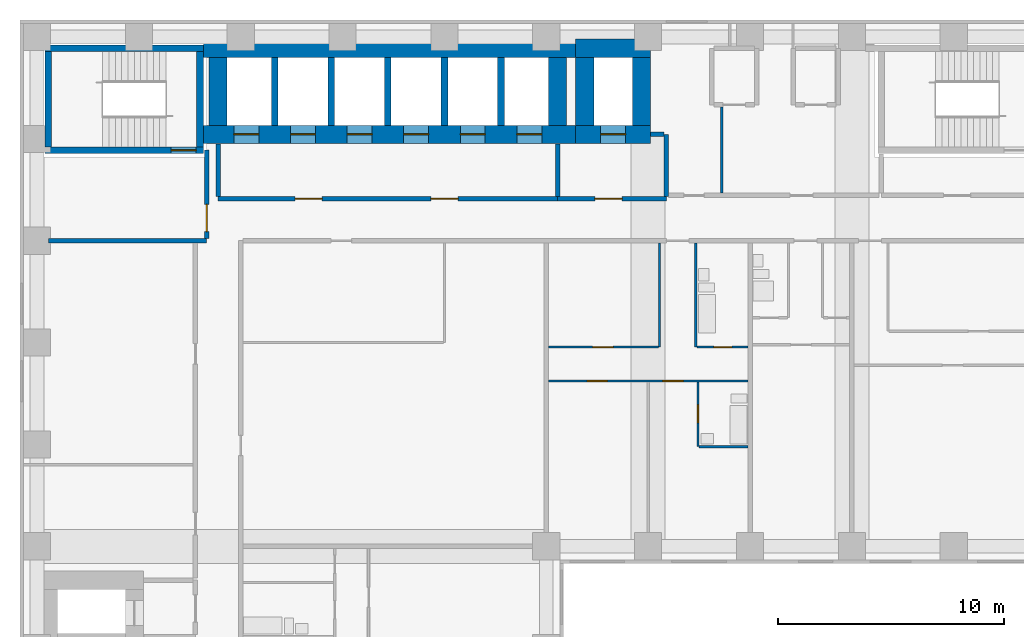
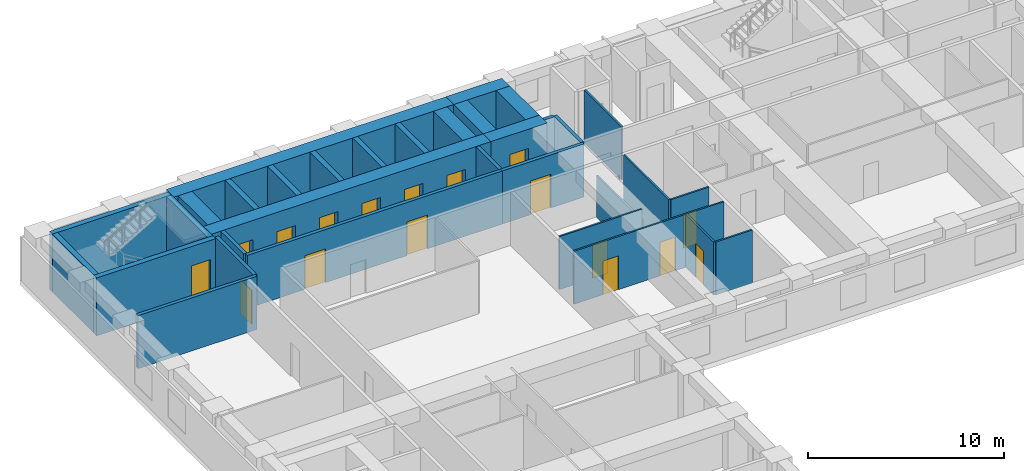
# One storey, part 5 of 11: 33 walls, 17 doors, 17 openings.
"""IFC4 building model written with IfcOpenShell, lengths in metres."""

from ifc_helpers import new_model, si_unit, direction, frame, frame_2d, origin, place, context, subcontext, project, spatial, rectangle, extrude, material, layer, layer_set, type_object, element, fill, save


model = new_model("IFC4")

# Units and contexts
model_context = context("Model", 3, precision=1e-05, world=origin(), true_north=direction((0.0, 1.0)))
body_context = subcontext(model_context, "Body", "Model", "MODEL_VIEW")
ifc_project = project(units=[si_unit("LENGTHUNIT", "METRE"), si_unit("AREAUNIT", "SQUARE_METRE"), si_unit("VOLUMEUNIT", "CUBIC_METRE"), si_unit("PLANEANGLEUNIT", "RADIAN"), si_unit("MASSUNIT", "GRAM", prefix="KILO")], contexts=[model_context])

# Site, building, storey
site_placement = place(None, origin())
site = spatial("IfcSite", under=ifc_project, at=site_placement, CompositionType="ELEMENT")
building_placement = place(site_placement, origin())
building = spatial("IfcBuilding", under=site, at=building_placement, Name="Firuza Court", CompositionType="ELEMENT")
storey_placement = place(building_placement, frame((0.0, 0.0, 75.800048828125)))
storey = spatial("IfcBuildingStorey", under=building, at=storey_placement, Name="L18", CompositionType="ELEMENT", Elevation=75.800048828125)

# Wall, opening, door
ifc_material_1 = material(Name="Moisture-resistant gypsum board partition")
ifc_layer_1 = layer(ifc_material_1, 0.10009765625)
ifc_layer_set_1 = layer_set([ifc_layer_1], Name="Moisture-resistant gypsum board partition")
wall_type_1 = type_object("IfcWallType", Name="Bathroom partition 100", PredefinedType="PLUMBINGWALL", material=ifc_layer_set_1)
wall_1_placement = place(storey_placement, frame((29.199951171875, 40.39990234375, 0.0), z_axis=(0.0, 0.0, 1.0), x_axis=(0.0, 1.0, 0.0)))
wall_1 = element("IfcWall", 1, at=wall_1_placement, inside=storey, type_object=wall_type_1, Name="Bathroom partition 100 L18", PredefinedType="PLUMBINGWALL", context=body_context, shape_type="SweptSolid", body=[
    extrude(rectangle(XDim=2.85009765625, YDim=0.10009765625, at=frame_2d((1.425048828125, 0.0))), origin(), (0.0, 0.0, 1.0), 3.300048828125),
])
opening_1_placement = place(wall_1_placement, frame((1.050048828125, 0.0, 0.0)))
opening_1 = element("IfcOpeningElement", 2, at=opening_1_placement, cuts=wall_1, Name="Opening D18044", PredefinedType="OPENING", context=body_context, shape_type="SweptSolid", body=[
    extrude(rectangle(XDim=0.800048828125, YDim=2.10009765625, at=frame_2d((0.39990234375, 1.050048828125))), frame((0.0, 0.06201171875, 0.0), z_axis=(0.0, -1.0, 0.0), x_axis=(1.0, 0.0, 0.0)), (0.0, 0.0, 1.0), 0.1240234375),
])
ifc_material_2 = material(Name="Timber door leaf in hardwood frame", Category="wood")
door_type_1 = type_object("IfcDoorType", Name="Bathroom door 800", OperationType="SINGLE_SWING_LEFT", PredefinedType="DOOR", material=ifc_material_2)
door_1_placement = place(opening_1_placement, frame((0.800048828125, 0.0, 0.0), z_axis=(0.0, 0.0, 1.0), x_axis=(-1.0, 0.0, 0.0)))
door_1 = element("IfcDoor", 3, at=door_1_placement, inside=storey, type_object=door_type_1, Name="En-suite door", OperationType="SINGLE_SWING_RIGHT", OverallHeight=2.10009765625, OverallWidth=0.800048828125, PredefinedType="DOOR", context=body_context, shape_type="SweptSolid", body=[
    extrude(rectangle(XDim=0.800048828125, YDim=2.10009765625, at=frame_2d((0.39990234375, 1.050048828125))), frame((0.0, 0.02490234375, 0.0), z_axis=(0.0, -1.0, 0.0), x_axis=(1.0, 0.0, 0.0)), (0.0, 0.0, 1.0), 0.050048828125),
])
fill(opening_1, door_1)

# Walls
wall_2_placement = place(storey_placement, frame((29.25, 40.39990234375, 0.0), z_axis=(0.0, 0.0, 1.0), x_axis=(1.0, 0.0, 0.0)))
element("IfcWall", 4, at=wall_2_placement, inside=storey, type_object=wall_type_1, Name="Bathroom partition 100 L18", PredefinedType="PLUMBINGWALL", context=body_context, shape_type="SweptSolid", body=[
    extrude(rectangle(XDim=2.14990234375, YDim=0.10009765625, at=frame_2d((1.074951171875, 0.0))), origin(), (0.0, 0.0, 1.0), 3.300048828125),
])
wall_3_placement = place(storey_placement, frame((29.10009765625, 44.800048828125, 0.0), z_axis=(0.0, 0.0, 1.0), x_axis=(0.0, 1.0, 0.0)))
element("IfcWall", 5, at=wall_3_placement, inside=storey, type_object=wall_type_1, Name="Bathroom partition 100 L18", PredefinedType="PLUMBINGWALL", context=body_context, shape_type="SweptSolid", body=[
    extrude(rectangle(XDim=4.599853515625, YDim=0.10009765625, at=frame_2d((2.2998046875, 0.0))), origin(), (0.0, 0.0, 1.0), 3.300048828125),
])

# Wall, opening, door
ifc_material_3 = material(Name="Concrete C60/75", Category="concrete")
ifc_layer_2 = layer(ifc_material_3, 0.300048828125)
ifc_layer_set_2 = layer_set([ifc_layer_2], Name="Concrete C60/75")
wall_type_2 = type_object("IfcWallType", Name="Core wall 300 C60/75", PredefinedType="SHEAR", material=ifc_layer_set_2)
wall_4_placement = place(storey_placement, frame((0.35009765625, 53.5, -0.300048828125), z_axis=(0.0, 0.0, 1.0), x_axis=(1.0, 0.0, 0.0)))
wall_4 = element("IfcWall", 6, at=wall_4_placement, inside=storey, type_object=wall_type_2, Name="Core wall stair L18", PredefinedType="SHEAR", context=body_context, shape_type="SweptSolid", body=[
    extrude(rectangle(XDim=7.0, YDim=0.300048828125, at=frame_2d((3.5, 0.0))), origin(), (0.0, 0.0, 1.0), 3.60009765625),
])
opening_2_placement = place(wall_4_placement, frame((5.580078125, 0.0, 0.300048828125)))
opening_2 = element("IfcOpeningElement", 7, at=opening_2_placement, cuts=wall_4, Name="Opening D18016", PredefinedType="OPENING", context=body_context, shape_type="SweptSolid", body=[
    extrude(rectangle(XDim=1.10009765625, YDim=2.10009765625, at=frame_2d((0.550048828125, 1.050048828125))), frame((0.0, 0.162109375, 0.0), z_axis=(0.0, -1.0, 0.0), x_axis=(1.0, 0.0, 0.0)), (0.0, 0.0, 1.0), 0.323974609375),
])
ifc_material_4 = material(Name="Timber door leaf in hardwood frame", Category="wood")
door_type_2 = type_object("IfcDoorType", Name="Stair door 1100", OperationType="SINGLE_SWING_LEFT", PredefinedType="DOOR", material=ifc_material_4)
door_2_placement = place(opening_2_placement, origin())
door_2 = element("IfcDoor", 8, at=door_2_placement, inside=storey, type_object=door_type_2, Name="Stair door S3", OperationType="SINGLE_SWING_RIGHT", OverallHeight=2.10009765625, OverallWidth=1.10009765625, PredefinedType="DOOR", context=body_context, shape_type="SweptSolid", body=[
    extrude(rectangle(XDim=1.10009765625, YDim=2.10009765625, at=frame_2d((0.550048828125, 1.050048828125))), frame((0.0, 0.02490234375, 0.0), z_axis=(0.0, -1.0, 0.0), x_axis=(1.0, 0.0, 0.0)), (0.0, 0.0, 1.0), 0.050048828125),
])
fill(opening_2, door_2)

# Walls
wall_5_placement = place(storey_placement, frame((0.35009765625, 58.0, -0.300048828125), z_axis=(0.0, 0.0, 1.0), x_axis=(1.0, 0.0, 0.0)))
element("IfcWall", 9, at=wall_5_placement, inside=storey, type_object=wall_type_2, Name="Core wall stair L18", PredefinedType="SHEAR", context=body_context, shape_type="SweptSolid", body=[
    extrude(rectangle(XDim=7.0, YDim=0.300048828125, at=frame_2d((3.5, 0.0))), origin(), (0.0, 0.0, 1.0), 3.60009765625),
])
for number, where, z_axis, x_axis, name in (
    (10, (0.5, 53.64990234375, -0.300048828125), (0.0, 0.0, 1.0), (0.0, 1.0, 0.0), "Core wall stair L18"),
    (11, (7.199951171875, 53.64990234375, -0.300048828125), (0.0, 0.0, 1.0), (0.0, 1.0, 0.0), "Core wall stair L18"),
):
    element("IfcWall", number, at=place(storey_placement, frame(where, z_axis=z_axis, x_axis=x_axis)), inside=storey, type_object=wall_type_2, Name=name, PredefinedType="SHEAR", context=body_context, shape_type="SweptSolid", body=[
        extrude(rectangle(XDim=4.2001953125, YDim=0.300048828125, at=frame_2d((2.10009765625, 0.0))), origin(), (0.0, 0.0, 1.0), 3.60009765625),
    ])
for number, where, z_axis, x_axis, name in (
    (12, (10.5, 54.60009765625, -0.300048828125), (0.0, 0.0, 1.0), (0.0, 1.0, 0.0), "Core wall lift shaft L18"),
    (13, (13.0, 54.60009765625, -0.300048828125), (0.0, 0.0, 1.0), (0.0, 1.0, 0.0), "Core wall lift shaft L18"),
    (14, (15.5, 54.60009765625, -0.300048828125), (0.0, 0.0, 1.0), (0.0, 1.0, 0.0), "Core wall lift shaft L18"),
    (15, (18.0, 54.60009765625, -0.300048828125), (0.0, 0.0, 1.0), (0.0, 1.0, 0.0), "Core wall lift shaft L18"),
    (16, (20.5, 54.60009765625, -0.300048828125), (0.0, 0.0, 1.0), (0.0, 1.0, 0.0), "Core wall lift shaft L18"),
):
    element("IfcWall", number, at=place(storey_placement, frame(where, z_axis=z_axis, x_axis=x_axis)), inside=storey, type_object=wall_type_2, Name=name, PredefinedType="SHEAR", context=body_context, shape_type="SweptSolid", body=[
        extrude(rectangle(XDim=3.0, YDim=0.300048828125, at=frame_2d((1.5, 0.0))), origin(), (0.0, 0.0, 1.0), 3.60009765625),
    ])

# Wall, openings, doors
ifc_layer_3 = layer(ifc_material_3, 0.800048828125)
ifc_layer_set_3 = layer_set([ifc_layer_3], Name="Concrete C60/75")
wall_type_3 = type_object("IfcWallType", Name="Core wall 800 C60/75", PredefinedType="SHEAR", material=ifc_layer_set_3)
wall_6_placement = place(storey_placement, frame((7.35009765625, 54.199951171875, -0.300048828125), z_axis=(0.0, 0.0, 1.0), x_axis=(1.0, 0.0, 0.0)))
wall_6 = element("IfcWall", 17, at=wall_6_placement, inside=storey, type_object=wall_type_3, Name="Core wall lift shaft L18", PredefinedType="SHEAR", context=body_context, shape_type="SweptSolid", body=[
    extrude(rectangle(XDim=16.449951171875, YDim=0.800048828125, at=frame_2d((8.22509765625, 0.0))), origin(), (0.0, 0.0, 1.0), 3.60009765625),
])
opening_3_placement = place(wall_6_placement, frame((1.35009765625, 0.0, 0.300048828125)))
opening_3 = element("IfcOpeningElement", 18, at=opening_3_placement, cuts=wall_6, Name="Opening LD-LB1-18", PredefinedType="OPENING", context=body_context, shape_type="SweptSolid", body=[
    extrude(rectangle(XDim=1.10009765625, YDim=2.10009765625, at=frame_2d((0.550048828125, 1.050048828125))), frame((0.0, 0.412109375, 0.0), z_axis=(0.0, -1.0, 0.0), x_axis=(1.0, 0.0, 0.0)), (0.0, 0.0, 1.0), 0.823974609375),
])
opening_4_placement = place(wall_6_placement, frame((3.85009765625, 0.0, 0.300048828125)))
opening_4 = element("IfcOpeningElement", 19, at=opening_4_placement, cuts=wall_6, Name="Opening LD-LB2-18", PredefinedType="OPENING", context=body_context, shape_type="SweptSolid", body=[
    extrude(rectangle(XDim=1.10009765625, YDim=2.10009765625, at=frame_2d((0.550048828125, 1.050048828125))), frame((0.0, 0.412109375, 0.0), z_axis=(0.0, -1.0, 0.0), x_axis=(1.0, 0.0, 0.0)), (0.0, 0.0, 1.0), 0.823974609375),
])
opening_5_placement = place(wall_6_placement, frame((6.35009765625, 0.0, 0.300048828125)))
opening_5 = element("IfcOpeningElement", 20, at=opening_5_placement, cuts=wall_6, Name="Opening LD-LB3-18", PredefinedType="OPENING", context=body_context, shape_type="SweptSolid", body=[
    extrude(rectangle(XDim=1.10009765625, YDim=2.10009765625, at=frame_2d((0.550048828125, 1.050048828125))), frame((0.0, 0.412109375, 0.0), z_axis=(0.0, -1.0, 0.0), x_axis=(1.0, 0.0, 0.0)), (0.0, 0.0, 1.0), 0.823974609375),
])
opening_6_placement = place(wall_6_placement, frame((8.85009765625, 0.0, 0.300048828125)))
opening_6 = element("IfcOpeningElement", 21, at=opening_6_placement, cuts=wall_6, Name="Opening LD-LB4-18", PredefinedType="OPENING", context=body_context, shape_type="SweptSolid", body=[
    extrude(rectangle(XDim=1.10009765625, YDim=2.10009765625, at=frame_2d((0.550048828125, 1.050048828125))), frame((0.0, 0.412109375, 0.0), z_axis=(0.0, -1.0, 0.0), x_axis=(1.0, 0.0, 0.0)), (0.0, 0.0, 1.0), 0.823974609375),
])
opening_7_placement = place(wall_6_placement, frame((11.35009765625, 0.0, 0.300048828125)))
opening_7 = element("IfcOpeningElement", 22, at=opening_7_placement, cuts=wall_6, Name="Opening LD-LB5-18", PredefinedType="OPENING", context=body_context, shape_type="SweptSolid", body=[
    extrude(rectangle(XDim=1.10009765625, YDim=2.10009765625, at=frame_2d((0.550048828125, 1.050048828125))), frame((0.0, 0.412109375, 0.0), z_axis=(0.0, -1.0, 0.0), x_axis=(1.0, 0.0, 0.0)), (0.0, 0.0, 1.0), 0.823974609375),
])
opening_8_placement = place(wall_6_placement, frame((13.85009765625, 0.0, 0.300048828125)))
opening_8 = element("IfcOpeningElement", 23, at=opening_8_placement, cuts=wall_6, Name="Opening LD-LB6-18", PredefinedType="OPENING", context=body_context, shape_type="SweptSolid", body=[
    extrude(rectangle(XDim=1.10009765625, YDim=2.10009765625, at=frame_2d((0.550048828125, 1.050048828125))), frame((0.0, 0.412109375, 0.0), z_axis=(0.0, -1.0, 0.0), x_axis=(1.0, 0.0, 0.0)), (0.0, 0.0, 1.0), 0.823974609375),
])
ifc_material_5 = material(Name="Stainless steel 1.4301 door leaf", Category="steel")
door_type_3 = type_object("IfcDoorType", Name="Lift landing door 1100", OperationType="SLIDING_TO_LEFT", PredefinedType="DOOR", material=ifc_material_5)
door_3_placement = place(opening_3_placement, origin())
door_3 = element("IfcDoor", 24, at=door_3_placement, inside=storey, type_object=door_type_3, Name="Landing door LB1", OperationType="SLIDING_TO_LEFT", OverallHeight=2.10009765625, OverallWidth=1.10009765625, PredefinedType="DOOR", context=body_context, shape_type="SweptSolid", body=[
    extrude(rectangle(XDim=1.10009765625, YDim=2.10009765625, at=frame_2d((0.550048828125, 1.050048828125))), frame((0.0, 0.02490234375, 0.0), z_axis=(0.0, -1.0, 0.0), x_axis=(1.0, 0.0, 0.0)), (0.0, 0.0, 1.0), 0.050048828125),
])
fill(opening_3, door_3)
door_4_placement = place(opening_4_placement, origin())
door_4 = element("IfcDoor", 25, at=door_4_placement, inside=storey, type_object=door_type_3, Name="Landing door LB2", OperationType="SLIDING_TO_LEFT", OverallHeight=2.10009765625, OverallWidth=1.10009765625, PredefinedType="DOOR", context=body_context, shape_type="SweptSolid", body=[
    extrude(rectangle(XDim=1.10009765625, YDim=2.10009765625, at=frame_2d((0.550048828125, 1.050048828125))), frame((0.0, 0.02490234375, 0.0), z_axis=(0.0, -1.0, 0.0), x_axis=(1.0, 0.0, 0.0)), (0.0, 0.0, 1.0), 0.050048828125),
])
fill(opening_4, door_4)
door_5_placement = place(opening_5_placement, origin())
door_5 = element("IfcDoor", 26, at=door_5_placement, inside=storey, type_object=door_type_3, Name="Landing door LB3", OperationType="SLIDING_TO_LEFT", OverallHeight=2.10009765625, OverallWidth=1.10009765625, PredefinedType="DOOR", context=body_context, shape_type="SweptSolid", body=[
    extrude(rectangle(XDim=1.10009765625, YDim=2.10009765625, at=frame_2d((0.550048828125, 1.050048828125))), frame((0.0, 0.02490234375, 0.0), z_axis=(0.0, -1.0, 0.0), x_axis=(1.0, 0.0, 0.0)), (0.0, 0.0, 1.0), 0.050048828125),
])
fill(opening_5, door_5)
door_6_placement = place(opening_6_placement, origin())
door_6 = element("IfcDoor", 27, at=door_6_placement, inside=storey, type_object=door_type_3, Name="Landing door LB4", OperationType="SLIDING_TO_LEFT", OverallHeight=2.10009765625, OverallWidth=1.10009765625, PredefinedType="DOOR", context=body_context, shape_type="SweptSolid", body=[
    extrude(rectangle(XDim=1.10009765625, YDim=2.10009765625, at=frame_2d((0.550048828125, 1.050048828125))), frame((0.0, 0.02490234375, 0.0), z_axis=(0.0, -1.0, 0.0), x_axis=(1.0, 0.0, 0.0)), (0.0, 0.0, 1.0), 0.050048828125),
])
fill(opening_6, door_6)
door_7_placement = place(opening_7_placement, origin())
door_7 = element("IfcDoor", 28, at=door_7_placement, inside=storey, type_object=door_type_3, Name="Landing door LB5", OperationType="SLIDING_TO_LEFT", OverallHeight=2.10009765625, OverallWidth=1.10009765625, PredefinedType="DOOR", context=body_context, shape_type="SweptSolid", body=[
    extrude(rectangle(XDim=1.10009765625, YDim=2.10009765625, at=frame_2d((0.550048828125, 1.050048828125))), frame((0.0, 0.02490234375, 0.0), z_axis=(0.0, -1.0, 0.0), x_axis=(1.0, 0.0, 0.0)), (0.0, 0.0, 1.0), 0.050048828125),
])
fill(opening_7, door_7)
door_8_placement = place(opening_8_placement, origin())
door_8 = element("IfcDoor", 29, at=door_8_placement, inside=storey, type_object=door_type_3, Name="Landing door LB6", OperationType="SLIDING_TO_LEFT", OverallHeight=2.10009765625, OverallWidth=1.10009765625, PredefinedType="DOOR", context=body_context, shape_type="SweptSolid", body=[
    extrude(rectangle(XDim=1.10009765625, YDim=2.10009765625, at=frame_2d((0.550048828125, 1.050048828125))), frame((0.0, 0.02490234375, 0.0), z_axis=(0.0, -1.0, 0.0), x_axis=(1.0, 0.0, 0.0)), (0.0, 0.0, 1.0), 0.050048828125),
])
fill(opening_8, door_8)

# Walls
wall_7_placement = place(storey_placement, frame((7.35009765625, 58.0, -0.300048828125), z_axis=(0.0, 0.0, 1.0), x_axis=(1.0, 0.0, 0.0)))
element("IfcWall", 30, at=wall_7_placement, inside=storey, type_object=wall_type_3, Name="Core wall lift shaft L18", PredefinedType="SHEAR", context=body_context, shape_type="SweptSolid", body=[
    extrude(rectangle(XDim=16.449951171875, YDim=0.800048828125, at=frame_2d((8.22509765625, 0.0))), origin(), (0.0, 0.0, 1.0), 3.60009765625),
])
for number, where, z_axis, x_axis, name in (
    (31, (8.0, 54.60009765625, -0.300048828125), (0.0, 0.0, 1.0), (0.0, 1.0, 0.0), "Core wall lift shaft L18"),
    (32, (23.0, 54.60009765625, -0.300048828125), (0.0, 0.0, 1.0), (0.0, 1.0, 0.0), "Core wall lift shaft L18"),
):
    element("IfcWall", number, at=place(storey_placement, frame(where, z_axis=z_axis, x_axis=x_axis)), inside=storey, type_object=wall_type_3, Name=name, PredefinedType="SHEAR", context=body_context, shape_type="SweptSolid", body=[
        extrude(rectangle(XDim=3.0, YDim=0.800048828125, at=frame_2d((1.5, 0.0))), origin(), (0.0, 0.0, 1.0), 3.60009765625),
    ])

# Wall, opening, door
wall_8_placement = place(storey_placement, frame((23.800048828125, 54.199951171875, -0.300048828125), z_axis=(0.0, 0.0, 1.0), x_axis=(1.0, 0.0, 0.0)))
wall_8 = element("IfcWall", 33, at=wall_8_placement, inside=storey, type_object=wall_type_3, Name="Core wall lift shaft L18", PredefinedType="SHEAR", context=body_context, shape_type="SweptSolid", body=[
    extrude(rectangle(XDim=3.300048828125, YDim=0.800048828125, at=frame_2d((1.64990234375, 0.0))), origin(), (0.0, 0.0, 1.0), 3.60009765625),
])
opening_9_placement = place(wall_8_placement, frame((1.10009765625, 0.0, 0.300048828125)))
opening_9 = element("IfcOpeningElement", 34, at=opening_9_placement, cuts=wall_8, Name="Opening LD-FL3-18", PredefinedType="OPENING", context=body_context, shape_type="SweptSolid", body=[
    extrude(rectangle(XDim=1.10009765625, YDim=2.10009765625, at=frame_2d((0.550048828125, 1.050048828125))), frame((0.0, 0.412109375, 0.0), z_axis=(0.0, -1.0, 0.0), x_axis=(1.0, 0.0, 0.0)), (0.0, 0.0, 1.0), 0.823974609375),
])
door_9_placement = place(opening_9_placement, origin())
door_9 = element("IfcDoor", 35, at=door_9_placement, inside=storey, type_object=door_type_3, Name="Landing door FL3", OperationType="SLIDING_TO_LEFT", OverallHeight=2.10009765625, OverallWidth=1.10009765625, PredefinedType="DOOR", context=body_context, shape_type="SweptSolid", body=[
    extrude(rectangle(XDim=1.10009765625, YDim=2.10009765625, at=frame_2d((0.550048828125, 1.050048828125))), frame((0.0, 0.02490234375, 0.0), z_axis=(0.0, -1.0, 0.0), x_axis=(1.0, 0.0, 0.0)), (0.0, 0.0, 1.0), 0.050048828125),
])
fill(opening_9, door_9)

# Walls
wall_9_placement = place(storey_placement, frame((23.800048828125, 58.0, -0.300048828125), z_axis=(0.0, 0.0, 1.0), x_axis=(1.0, 0.0, 0.0)))
element("IfcWall", 36, at=wall_9_placement, inside=storey, type_object=wall_type_3, Name="Core wall lift shaft L18", PredefinedType="SHEAR", context=body_context, shape_type="SweptSolid", body=[
    extrude(rectangle(XDim=3.300048828125, YDim=0.800048828125, at=frame_2d((1.64990234375, 0.0))), origin(), (0.0, 0.0, 1.0), 3.60009765625),
])
for number, where, z_axis, x_axis, name in (
    (37, (24.199951171875, 54.60009765625, -0.300048828125), (0.0, 0.0, 1.0), (0.0, 1.0, 0.0), "Core wall lift shaft L18"),
    (38, (26.699951171875, 54.60009765625, -0.300048828125), (0.0, 0.0, 1.0), (0.0, 1.0, 0.0), "Core wall lift shaft L18"),
):
    element("IfcWall", number, at=place(storey_placement, frame(where, z_axis=z_axis, x_axis=x_axis)), inside=storey, type_object=wall_type_3, Name=name, PredefinedType="SHEAR", context=body_context, shape_type="SweptSolid", body=[
        extrude(rectangle(XDim=3.0, YDim=0.800048828125, at=frame_2d((1.5, 0.0))), origin(), (0.0, 0.0, 1.0), 3.60009765625),
    ])

# Wall, openings, doors
ifc_material_6 = material(Name="Timber stud partition, plasterboard both sides", Category="wood")
ifc_layer_4 = layer(ifc_material_6, 0.10009765625)
ifc_layer_set_4 = layer_set([ifc_layer_4], Name="Timber stud partition, plasterboard both sides")
wall_type_4 = type_object("IfcWallType", Name="Partition wall 100", PredefinedType="PARTITIONING", material=ifc_layer_set_4)
wall_10_placement = place(storey_placement, frame((22.60009765625, 43.300048828125, 0.0), z_axis=(0.0, 0.0, 1.0), x_axis=(1.0, 0.0, 0.0)))
wall_10 = element("IfcWall", 39, at=wall_10_placement, inside=storey, type_object=wall_type_4, Name="Partition wall 100 L18", PredefinedType="PARTITIONING", context=body_context, shape_type="SweptSolid", body=[
    extrude(rectangle(XDim=8.7998046875, YDim=0.10009765625, at=frame_2d((4.39990234375, 0.0))), origin(), (0.0, 0.0, 1.0), 3.300048828125),
])
opening_10_placement = place(wall_10_placement, frame((1.699951171875, 0.0, 0.0)))
opening_10 = element("IfcOpeningElement", 40, at=opening_10_placement, cuts=wall_10, Name="Opening D18049", PredefinedType="OPENING", context=body_context, shape_type="SweptSolid", body=[
    extrude(rectangle(XDim=0.89990234375, YDim=2.10009765625, at=frame_2d((0.449951171875, 1.050048828125))), frame((0.0, 0.06201171875, 0.0), z_axis=(0.0, -1.0, 0.0), x_axis=(1.0, 0.0, 0.0)), (0.0, 0.0, 1.0), 0.1240234375),
])
opening_11_placement = place(wall_10_placement, frame((5.050048828125, 0.0, 0.0)))
opening_11 = element("IfcOpeningElement", 41, at=opening_11_placement, cuts=wall_10, Name="Opening D18050", PredefinedType="OPENING", context=body_context, shape_type="SweptSolid", body=[
    extrude(rectangle(XDim=0.89990234375, YDim=2.10009765625, at=frame_2d((0.449951171875, 1.050048828125))), frame((0.0, 0.06201171875, 0.0), z_axis=(0.0, -1.0, 0.0), x_axis=(1.0, 0.0, 0.0)), (0.0, 0.0, 1.0), 0.1240234375),
])
ifc_material_7 = material(Name="Timber door leaf in hardwood frame", Category="wood")
door_type_4 = type_object("IfcDoorType", Name="Room door 900", OperationType="SINGLE_SWING_LEFT", PredefinedType="DOOR", material=ifc_material_7)
door_10_placement = place(opening_10_placement, frame((0.89990234375, 0.0, 0.0), z_axis=(0.0, 0.0, 1.0), x_axis=(-1.0, 0.0, 0.0)))
door_10 = element("IfcDoor", 42, at=door_10_placement, inside=storey, type_object=door_type_4, Name="Living room door", OperationType="SINGLE_SWING_RIGHT", OverallHeight=2.10009765625, OverallWidth=0.89990234375, PredefinedType="DOOR", context=body_context, shape_type="SweptSolid", body=[
    extrude(rectangle(XDim=0.89990234375, YDim=2.10009765625, at=frame_2d((0.449951171875, 1.050048828125))), frame((0.0, 0.02490234375, 0.0), z_axis=(0.0, -1.0, 0.0), x_axis=(1.0, 0.0, 0.0)), (0.0, 0.0, 1.0), 0.050048828125),
])
fill(opening_10, door_10)
door_11_placement = place(opening_11_placement, frame((0.89990234375, 0.0, 0.0), z_axis=(0.0, 0.0, 1.0), x_axis=(-1.0, 0.0, 0.0)))
door_11 = element("IfcDoor", 43, at=door_11_placement, inside=storey, type_object=door_type_4, Name="Bedroom door", OperationType="SINGLE_SWING_RIGHT", OverallHeight=2.10009765625, OverallWidth=0.89990234375, PredefinedType="DOOR", context=body_context, shape_type="SweptSolid", body=[
    extrude(rectangle(XDim=0.89990234375, YDim=2.10009765625, at=frame_2d((0.449951171875, 1.050048828125))), frame((0.0, 0.02490234375, 0.0), z_axis=(0.0, -1.0, 0.0), x_axis=(1.0, 0.0, 0.0)), (0.0, 0.0, 1.0), 0.050048828125),
])
fill(opening_11, door_11)

# Wall, opening, door
wall_11_placement = place(storey_placement, frame((22.60009765625, 44.800048828125, 0.0), z_axis=(0.0, 0.0, 1.0), x_axis=(1.0, 0.0, 0.0)))
wall_11 = element("IfcWall", 44, at=wall_11_placement, inside=storey, type_object=wall_type_4, Name="Partition wall 100 L18", PredefinedType="PARTITIONING", context=body_context, shape_type="SweptSolid", body=[
    extrude(rectangle(XDim=4.849853515625, YDim=0.10009765625, at=frame_2d((2.4248046875, 0.0))), origin(), (0.0, 0.0, 1.0), 3.300048828125),
])
opening_12_placement = place(wall_11_placement, frame((1.949951171875, 0.0, 0.0)))
opening_12 = element("IfcOpeningElement", 45, at=opening_12_placement, cuts=wall_11, Name="Opening D18058", PredefinedType="OPENING", context=body_context, shape_type="SweptSolid", body=[
    extrude(rectangle(XDim=0.89990234375, YDim=2.10009765625, at=frame_2d((0.449951171875, 1.050048828125))), frame((0.0, 0.06201171875, 0.0), z_axis=(0.0, -1.0, 0.0), x_axis=(1.0, 0.0, 0.0)), (0.0, 0.0, 1.0), 0.1240234375),
])
door_12_placement = place(opening_12_placement, origin())
door_12 = element("IfcDoor", 46, at=door_12_placement, inside=storey, type_object=door_type_4, Name="Kitchen door", OperationType="SINGLE_SWING_LEFT", OverallHeight=2.10009765625, OverallWidth=0.89990234375, PredefinedType="DOOR", context=body_context, shape_type="SweptSolid", body=[
    extrude(rectangle(XDim=0.89990234375, YDim=2.10009765625, at=frame_2d((0.449951171875, 1.050048828125))), frame((0.0, 0.02490234375, 0.0), z_axis=(0.0, -1.0, 0.0), x_axis=(1.0, 0.0, 0.0)), (0.0, 0.0, 1.0), 0.050048828125),
])
fill(opening_12, door_12)

# Wall
wall_12_placement = place(storey_placement, frame((27.5, 44.800048828125, 0.0), z_axis=(0.0, 0.0, 1.0), x_axis=(0.0, 1.0, 0.0)))
element("IfcWall", 47, at=wall_12_placement, inside=storey, type_object=wall_type_4, Name="Partition wall 100 L18", PredefinedType="PARTITIONING", context=body_context, shape_type="SweptSolid", body=[
    extrude(rectangle(XDim=4.599853515625, YDim=0.10009765625, at=frame_2d((2.2998046875, 0.0))), origin(), (0.0, 0.0, 1.0), 2.599853515625),
])

# Wall, opening, door
wall_13_placement = place(storey_placement, frame((29.14990234375, 44.800048828125, 0.0), z_axis=(0.0, 0.0, 1.0), x_axis=(1.0, 0.0, 0.0)))
wall_13 = element("IfcWall", 48, at=wall_13_placement, inside=storey, type_object=wall_type_4, Name="Partition wall 100 L18", PredefinedType="PARTITIONING", context=body_context, shape_type="SweptSolid", body=[
    extrude(rectangle(XDim=2.25, YDim=0.10009765625, at=frame_2d((1.125, 0.0))), origin(), (0.0, 0.0, 1.0), 3.300048828125),
])
opening_13_placement = place(wall_13_placement, frame((0.75, 0.0, 0.0)))
opening_13 = element("IfcOpeningElement", 49, at=opening_13_placement, cuts=wall_13, Name="Opening D18059", PredefinedType="OPENING", context=body_context, shape_type="SweptSolid", body=[
    extrude(rectangle(XDim=0.800048828125, YDim=2.10009765625, at=frame_2d((0.39990234375, 1.050048828125))), frame((0.0, 0.06201171875, 0.0), z_axis=(0.0, -1.0, 0.0), x_axis=(1.0, 0.0, 0.0)), (0.0, 0.0, 1.0), 0.1240234375),
])
door_13_placement = place(opening_13_placement, origin())
door_13 = element("IfcDoor", 50, at=door_13_placement, inside=storey, type_object=door_type_1, Name="Bathroom door", OperationType="SINGLE_SWING_LEFT", OverallHeight=2.10009765625, OverallWidth=0.800048828125, PredefinedType="DOOR", context=body_context, shape_type="SweptSolid", body=[
    extrude(rectangle(XDim=0.800048828125, YDim=2.10009765625, at=frame_2d((0.39990234375, 1.050048828125))), frame((0.0, 0.02490234375, 0.0), z_axis=(0.0, -1.0, 0.0), x_axis=(1.0, 0.0, 0.0)), (0.0, 0.0, 1.0), 0.050048828125),
])
fill(opening_13, door_13)

# Wall
wall_14_placement = place(storey_placement, frame((30.25, 51.60009765625, 0.0), z_axis=(0.0, 0.0, 1.0), x_axis=(0.0, 1.0, 0.0)))
element("IfcWall", 51, at=wall_14_placement, inside=storey, type_object=wall_type_4, Name="Partition wall 100 L18", PredefinedType="PARTITIONING", context=body_context, shape_type="SweptSolid", body=[
    extrude(rectangle(XDim=3.7998046875, YDim=0.10009765625, at=frame_2d((1.89990234375, 0.0))), origin(), (0.0, 0.0, 1.0), 3.300048828125),
])

# Wall, openings, doors
ifc_material_8 = material(Name="Blockwork, fire-rated", Category="masonry")
ifc_layer_5 = layer(ifc_material_8, 0.199951171875)
ifc_layer_set_5 = layer_set([ifc_layer_5], Name="Blockwork, fire-rated")
wall_type_5 = type_object("IfcWallType", Name="Shaft wall 200", PredefinedType="PARTITIONING", material=ifc_layer_set_5)
wall_15_placement = place(storey_placement, frame((8.0, 51.35009765625, 0.0), z_axis=(0.0, 0.0, 1.0), x_axis=(1.0, 0.0, 0.0)))
wall_15 = element("IfcWall", 52, at=wall_15_placement, inside=storey, type_object=wall_type_5, Name="Shaft wall 200 L18", PredefinedType="PARTITIONING", context=body_context, shape_type="SweptSolid", body=[
    extrude(rectangle(XDim=15.0, YDim=0.199951171875, at=frame_2d((7.5, 0.0))), origin(), (0.0, 0.0, 1.0), 3.300048828125),
])
opening_14_placement = place(wall_15_placement, frame((3.39990234375, 0.0, 0.0)))
opening_14 = element("IfcOpeningElement", 53, at=opening_14_placement, cuts=wall_15, Name="Opening D18004", PredefinedType="OPENING", context=body_context, shape_type="SweptSolid", body=[
    extrude(rectangle(XDim=1.199951171875, YDim=2.10009765625, at=frame_2d((0.60009765625, 1.050048828125))), frame((0.0, 0.11181640625, 0.0), z_axis=(0.0, -1.0, 0.0), x_axis=(1.0, 0.0, 0.0)), (0.0, 0.0, 1.0), 0.223876953125),
])
opening_15_placement = place(wall_15_placement, frame((9.39990234375, 0.0, 0.0)))
opening_15 = element("IfcOpeningElement", 54, at=opening_15_placement, cuts=wall_15, Name="Opening D18005", PredefinedType="OPENING", context=body_context, shape_type="SweptSolid", body=[
    extrude(rectangle(XDim=1.199951171875, YDim=2.10009765625, at=frame_2d((0.60009765625, 1.050048828125))), frame((0.0, 0.11181640625, 0.0), z_axis=(0.0, -1.0, 0.0), x_axis=(1.0, 0.0, 0.0)), (0.0, 0.0, 1.0), 0.223876953125),
])
ifc_material_9 = material(Name="Timber door leaf in hardwood frame", Category="wood")
door_type_5 = type_object("IfcDoorType", Name="Lobby door 1200", OperationType="SINGLE_SWING_LEFT", PredefinedType="DOOR", material=ifc_material_9)
door_14_placement = place(opening_14_placement, origin())
door_14 = element("IfcDoor", 55, at=door_14_placement, inside=storey, type_object=door_type_5, Name="Lobby door", OperationType="SINGLE_SWING_LEFT", OverallHeight=2.10009765625, OverallWidth=1.199951171875, PredefinedType="DOOR", context=body_context, shape_type="SweptSolid", body=[
    extrude(rectangle(XDim=1.199951171875, YDim=2.10009765625, at=frame_2d((0.60009765625, 1.050048828125))), frame((0.0, 0.02490234375, 0.0), z_axis=(0.0, -1.0, 0.0), x_axis=(1.0, 0.0, 0.0)), (0.0, 0.0, 1.0), 0.050048828125),
])
fill(opening_14, door_14)
door_15_placement = place(opening_15_placement, origin())
door_15 = element("IfcDoor", 56, at=door_15_placement, inside=storey, type_object=door_type_5, Name="Lobby door", OperationType="SINGLE_SWING_RIGHT", OverallHeight=2.10009765625, OverallWidth=1.199951171875, PredefinedType="DOOR", context=body_context, shape_type="SweptSolid", body=[
    extrude(rectangle(XDim=1.199951171875, YDim=2.10009765625, at=frame_2d((0.60009765625, 1.050048828125))), frame((0.0, 0.02490234375, 0.0), z_axis=(0.0, -1.0, 0.0), x_axis=(1.0, 0.0, 0.0)), (0.0, 0.0, 1.0), 0.050048828125),
])
fill(opening_15, door_15)

# Walls
for number, where, z_axis, x_axis, name in (
    (57, (23.0, 51.449951171875, 0.0), (0.0, 0.0, 1.0), (0.0, 1.0, 0.0), "Shaft wall 200 L18"),
    (58, (8.0, 51.449951171875, 0.0), (0.0, 0.0, 1.0), (0.0, 1.0, 0.0), "Shaft wall 200 L18"),
):
    element("IfcWall", number, at=place(storey_placement, frame(where, z_axis=z_axis, x_axis=x_axis)), inside=storey, type_object=wall_type_5, Name=name, PredefinedType="PARTITIONING", context=body_context, shape_type="SweptSolid", body=[
        extrude(rectangle(XDim=2.330078125, YDim=0.199951171875, at=frame_2d((1.1650390625, 0.0))), origin(), (0.0, 0.0, 1.0), 3.300048828125),
    ])

# Wall, opening, door
wall_16_placement = place(storey_placement, frame((23.0, 51.35009765625, 0.0), z_axis=(0.0, 0.0, 1.0), x_axis=(1.0, 0.0, 0.0)))
wall_16 = element("IfcWall", 59, at=wall_16_placement, inside=storey, type_object=wall_type_5, Name="Shaft wall 200 L18", PredefinedType="PARTITIONING", context=body_context, shape_type="SweptSolid", body=[
    extrude(rectangle(XDim=4.800048828125, YDim=0.199951171875, at=frame_2d((2.39990234375, 0.0))), origin(), (0.0, 0.0, 1.0), 3.300048828125),
])
opening_16_placement = place(wall_16_placement, frame((1.64990234375, 0.0, 0.0)))
opening_16 = element("IfcOpeningElement", 60, at=opening_16_placement, cuts=wall_16, Name="Opening D18003", PredefinedType="OPENING", context=body_context, shape_type="SweptSolid", body=[
    extrude(rectangle(XDim=1.199951171875, YDim=2.10009765625, at=frame_2d((0.60009765625, 1.050048828125))), frame((0.0, 0.11181640625, 0.0), z_axis=(0.0, -1.0, 0.0), x_axis=(1.0, 0.0, 0.0)), (0.0, 0.0, 1.0), 0.223876953125),
])
door_16_placement = place(opening_16_placement, origin())
door_16 = element("IfcDoor", 61, at=door_16_placement, inside=storey, type_object=door_type_5, Name="Fire-fighting lobby door", OperationType="SINGLE_SWING_LEFT", OverallHeight=2.10009765625, OverallWidth=1.199951171875, PredefinedType="DOOR", context=body_context, shape_type="SweptSolid", body=[
    extrude(rectangle(XDim=1.199951171875, YDim=2.10009765625, at=frame_2d((0.60009765625, 1.050048828125))), frame((0.0, 0.02490234375, 0.0), z_axis=(0.0, -1.0, 0.0), x_axis=(1.0, 0.0, 0.0)), (0.0, 0.0, 1.0), 0.050048828125),
])
fill(opening_16, door_16)

# Walls
wall_17_placement = place(storey_placement, frame((27.800048828125, 51.449951171875, 0.0), z_axis=(0.0, 0.0, 1.0), x_axis=(0.0, 1.0, 0.0)))
element("IfcWall", 62, at=wall_17_placement, inside=storey, type_object=wall_type_5, Name="Shaft wall 200 L18", PredefinedType="PARTITIONING", context=body_context, shape_type="SweptSolid", body=[
    extrude(rectangle(XDim=2.75, YDim=0.199951171875, at=frame_2d((1.375, 0.0))), origin(), (0.0, 0.0, 1.0), 3.300048828125),
])
wall_18_placement = place(storey_placement, frame((27.10009765625, 54.199951171875, 0.0), z_axis=(0.0, 0.0, 1.0), x_axis=(1.0, 0.0, 0.0)))
element("IfcWall", 63, at=wall_18_placement, inside=storey, type_object=wall_type_5, Name="Shaft wall 200 L18", PredefinedType="PARTITIONING", context=body_context, shape_type="SweptSolid", body=[
    extrude(rectangle(XDim=0.599853515625, YDim=0.199951171875, at=frame_2d((0.2998046875, 0.0))), origin(), (0.0, 0.0, 1.0), 3.300048828125),
])
wall_19_placement = place(storey_placement, frame((0.5, 49.5, 0.0), z_axis=(0.0, 0.0, 1.0), x_axis=(1.0, 0.0, 0.0)))
element("IfcWall", 64, at=wall_19_placement, inside=storey, type_object=wall_type_5, Name="Shaft wall 200 L18", PredefinedType="PARTITIONING", context=body_context, shape_type="SweptSolid", body=[
    extrude(rectangle(XDim=7.0, YDim=0.199951171875, at=frame_2d((3.5, 0.0))), origin(), (0.0, 0.0, 1.0), 3.300048828125),
])

# Wall, opening, door
wall_20_placement = place(storey_placement, frame((7.5, 49.60009765625, 0.0), z_axis=(0.0, 0.0, 1.0), x_axis=(0.0, 1.0, 0.0)))
wall_20 = element("IfcWall", 65, at=wall_20_placement, inside=storey, type_object=wall_type_5, Name="Shaft wall 200 L18", PredefinedType="PARTITIONING", context=body_context, shape_type="SweptSolid", body=[
    extrude(rectangle(XDim=3.89990234375, YDim=0.199951171875, at=frame_2d((1.949951171875, 0.0))), origin(), (0.0, 0.0, 1.0), 3.300048828125),
])
opening_17_placement = place(wall_20_placement, frame((0.300048828125, 0.0, 0.0)))
opening_17 = element("IfcOpeningElement", 66, at=opening_17_placement, cuts=wall_20, Name="Opening D18001", PredefinedType="OPENING", context=body_context, shape_type="SweptSolid", body=[
    extrude(rectangle(XDim=1.199951171875, YDim=2.10009765625, at=frame_2d((0.60009765625, 1.050048828125))), frame((0.0, 0.11181640625, 0.0), z_axis=(0.0, -1.0, 0.0), x_axis=(1.0, 0.0, 0.0)), (0.0, 0.0, 1.0), 0.223876953125),
])
door_17_placement = place(opening_17_placement, origin())
door_17 = element("IfcDoor", 67, at=door_17_placement, inside=storey, type_object=door_type_5, Name="Lobby door", OperationType="SINGLE_SWING_LEFT", OverallHeight=2.10009765625, OverallWidth=1.199951171875, PredefinedType="DOOR", context=body_context, shape_type="SweptSolid", body=[
    extrude(rectangle(XDim=1.199951171875, YDim=2.10009765625, at=frame_2d((0.60009765625, 1.050048828125))), frame((0.0, 0.02490234375, 0.0), z_axis=(0.0, -1.0, 0.0), x_axis=(1.0, 0.0, 0.0)), (0.0, 0.0, 1.0), 0.050048828125),
])
fill(opening_17, door_17)

save(model, "model.ifc")
